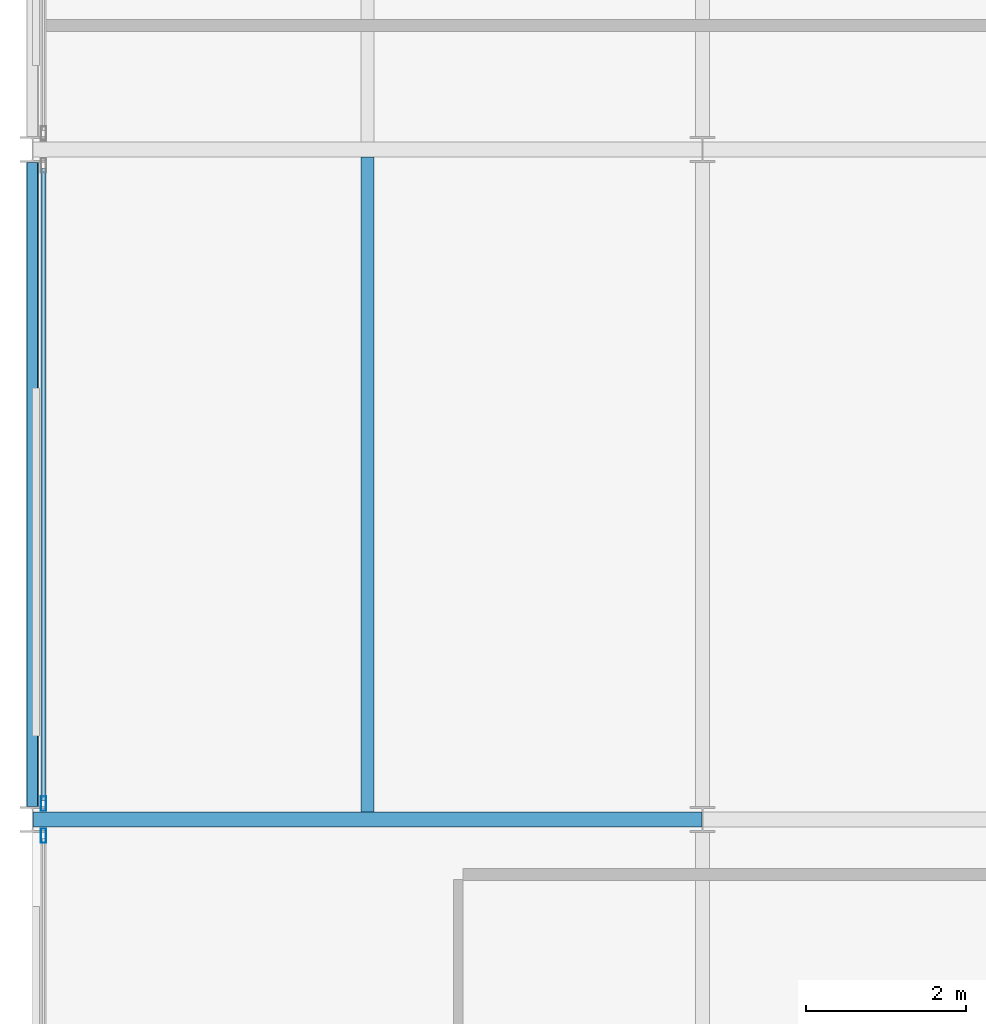
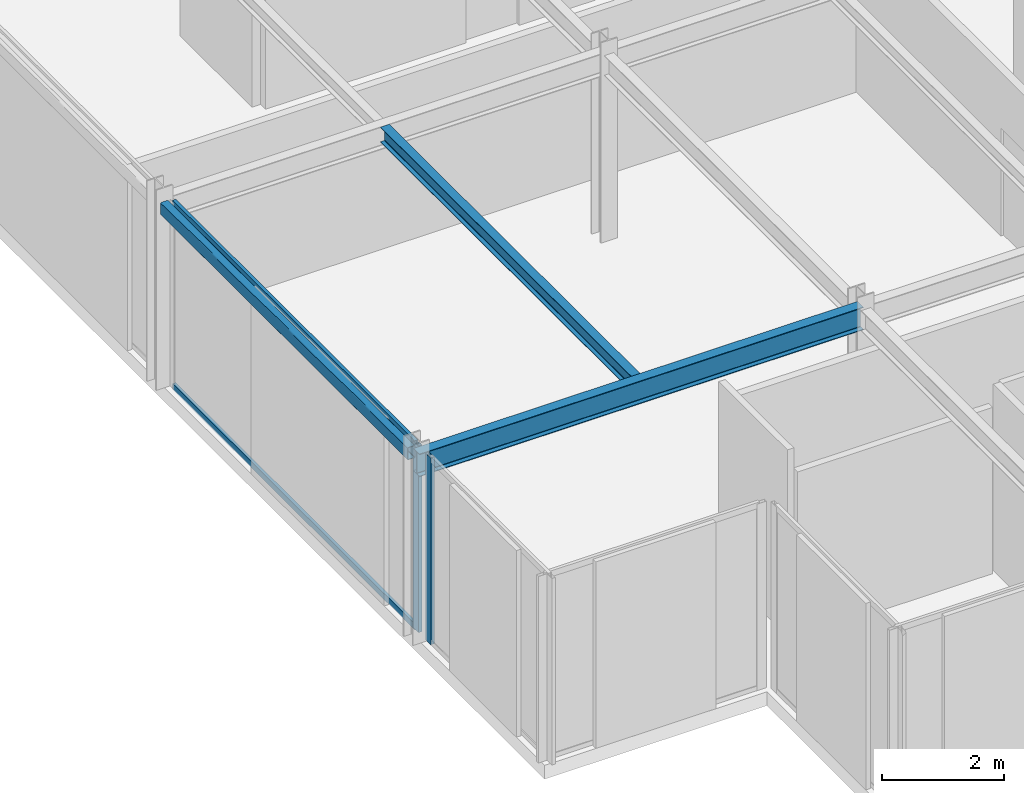
# One storey, part 5 of 26: 4 members, 3 beams, 2 elements without a shape of their own.
"""IFC4 building model written with IfcOpenShell, lengths in metres."""

from ifc_helpers import new_model, si_unit, direction, frame, origin, origin_2d, place, context, subcontext, project, spatial, hollow_rectangle, i_section, extrude, material, layer, layer_set, material_profile, profile_set, type_object, element, aggregate, save


model = new_model("IFC4")

# Units and contexts
model_context = context("Model", 3, precision=1e-05, world=origin(), true_north=direction((0.0, 1.0)))
body_context = subcontext(model_context, "Body", "Model", "MODEL_VIEW")
ifc_project = project(units=[si_unit("LENGTHUNIT", "METRE"), si_unit("AREAUNIT", "SQUARE_METRE"), si_unit("VOLUMEUNIT", "CUBIC_METRE"), si_unit("PLANEANGLEUNIT", "RADIAN"), si_unit("MASSUNIT", "GRAM", prefix="KILO")], contexts=[model_context])

# Site, building, storey
site_placement = place(None, origin())
site = spatial("IfcSite", under=ifc_project, at=site_placement, CompositionType="ELEMENT")
building_placement = place(site_placement, origin())
building = spatial("IfcBuilding", under=site, at=building_placement, Name="Nerrivon Quay Data Exchange", CompositionType="ELEMENT")
storey_placement = place(building_placement, frame((0.0, 0.0, 258.199951171875)))
storey = spatial("IfcBuildingStorey", under=building, at=storey_placement, Name="L61", CompositionType="ELEMENT", Elevation=258.199951171875)

# Beams
ifc_material_1 = material(Name="Steel Grade 350", Category="steel")
ifc_material_profile_1 = material_profile(ifc_material_1, i_section(OverallWidth=0.18994140625, OverallDepth=0.4541015625, WebThickness=0.008544921875, FlangeThickness=0.0126953125, FilletRadius=0.011474609375, at=origin_2d()), Name="460UB67.1")
ifc_profile_set_1 = profile_set([ifc_material_profile_1], Name="Steel Grade 350")
beam_type_1 = type_object("IfcBeamType", Name="BM-G6-460UB67", PredefinedType="BEAM", material=ifc_profile_set_1)
beam_1_placement = place(storey_placement, frame((0.0078125, 8.39990234375, 3.498046875), z_axis=(1.0, 0.0, 0.0), x_axis=(0.0, 1.0, 0.0)))
element("IfcBeam", 1, at=beam_1_placement, inside=storey, type_object=beam_type_1, Name="L61 EW Girder Y=8.4 (0.0..8.4)", PredefinedType="BEAM", context=body_context, shape_type="SweptSolid", body=[
    extrude(i_section(OverallWidth=0.18994140625, OverallDepth=0.4541015625, WebThickness=0.008544921875, FlangeThickness=0.0126953125, FilletRadius=0.011474609375, at=origin_2d()), origin(), (0.0, 0.0, 1.0), 8.38427734375),
])
ifc_material_profile_2 = material_profile(ifc_material_1, i_section(OverallWidth=0.1650390625, OverallDepth=0.303955078125, WebThickness=0.006103515625, FlangeThickness=0.01025390625, FilletRadius=0.011474609375, at=origin_2d()), Name="310UB40.4")
ifc_profile_set_2 = profile_set([ifc_material_profile_2], Name="Steel Grade 350")
beam_type_2 = type_object("IfcBeamType", Name="BM-J6-310UB40", PredefinedType="JOIST", material=ifc_profile_set_2)
beam_2_placement = place(storey_placement, frame((4.199951171875, 8.4951171875, 3.572998046875), z_axis=(0.0, 1.0, 0.0), x_axis=(-1.0, 0.0, 0.0)))
element("IfcBeam", 2, at=beam_2_placement, inside=storey, type_object=beam_type_2, Name="L61 Secondary Joist X=4.2 (8.4..16.8)", PredefinedType="JOIST", context=body_context, shape_type="SweptSolid", body=[
    extrude(i_section(OverallWidth=0.1650390625, OverallDepth=0.303955078125, WebThickness=0.006103515625, FlangeThickness=0.01025390625, FilletRadius=0.011474609375, at=origin_2d()), origin(), (0.0, 0.0, 1.0), 8.2099609375),
])
ifc_material_2 = material(Name="Steel Grade C350L0 (350 MPa)", Category="steel")
ifc_material_profile_3 = material_profile(ifc_material_2, hollow_rectangle(XDim=0.14990234375, YDim=0.25, WallThickness=0.009033203125, InnerFilletRadius=0.013427734375, OuterFilletRadius=0.0224609375, at=origin_2d()), Name="250x150x9.0RHS")
ifc_profile_set_3 = profile_set([ifc_material_profile_3], Name="Steel Grade C350L0 (350 MPa)")
beam_type_3 = type_object("IfcBeamType", Name="BM-SP4-250x150RHS", PredefinedType="SPANDREL", material=ifc_profile_set_3)
beam_3_placement = place(storey_placement, frame((0.0, 8.5634765625, 3.60009765625), z_axis=(0.0, 1.0, 0.0), x_axis=(-1.0, 0.0, 0.0)))
element("IfcBeam", 3, at=beam_3_placement, inside=storey, type_object=beam_type_3, Name="L61 NS Girder X=0.0 (8.4..16.8)", PredefinedType="SPANDREL", context=body_context, shape_type="SweptSolid", body=[
    extrude(hollow_rectangle(XDim=0.14990234375, YDim=0.25, WallThickness=0.009033203125, InnerFilletRadius=0.013427734375, OuterFilletRadius=0.0224609375, at=origin_2d()), origin(), (0.0, 0.0, 1.0), 8.072998046875),
])

# Curtain wall, member
ifc_material_3 = material(Name="Anodised aluminium 6063-T6", Category="aluminium")
ifc_layer = layer(ifc_material_3, 0.195068359375)
ifc_layer_set = layer_set([ifc_layer], Name="Anodised aluminium 6063-T6")
curtain_wall_type = type_object("IfcCurtainWallType", Name="CW-SYS-06", PredefinedType="NOTDEFINED", material=ifc_layer_set)
curtain_wall_1_placement = place(storey_placement, origin())
curtain_wall_1 = element("IfcCurtainWall", 4, at=curtain_wall_1_placement, inside=storey, type_object=curtain_wall_type, Name="L61 Unitised Curtain Wall 11", PredefinedType="NOTDEFINED")
ifc_material_profile_4 = material_profile(ifc_material_3, hollow_rectangle(XDim=0.06494140625, YDim=0.179931640625, WallThickness=0.00341796875, at=origin_2d()), Name="ALU-MULL-180x65")
ifc_profile_set_4 = profile_set([ifc_material_profile_4], Name="Anodised aluminium 6063-T6")
member_type_1 = type_object("IfcMemberType", Name="CWM-180x65", PredefinedType="MULLION", material=ifc_profile_set_4)
member_1_placement = place(storey_placement, frame((0.139892578125, 8.198974609375, 0.0), z_axis=(0.0, 0.0, 1.0), x_axis=(-1.0, 0.0, 0.0)))
member_1 = element("IfcMember", 5, at=member_1_placement, type_object=member_type_1, Name="CW06 mullion 2", PredefinedType="MULLION", context=body_context, shape_type="SweptSolid", body=[
    extrude(hollow_rectangle(XDim=0.06494140625, YDim=0.179931640625, WallThickness=0.00341796875, at=origin_2d()), origin(), (0.0, 0.0, 1.0), 3.72509765625),
])
aggregate(curtain_wall_1, [member_1])

# Curtain wall, members
curtain_wall_2_placement = place(storey_placement, origin())
curtain_wall_2 = element("IfcCurtainWall", 6, at=curtain_wall_2_placement, inside=storey, type_object=curtain_wall_type, Name="L61 Unitised Curtain Wall 12", PredefinedType="NOTDEFINED")
member_2_placement = place(storey_placement, frame((0.139892578125, 8.60107421875, 0.0), z_axis=(0.0, 0.0, 1.0), x_axis=(-1.0, 0.0, 0.0)))
member_2 = element("IfcMember", 7, at=member_2_placement, type_object=member_type_1, Name="CW06 mullion 1", PredefinedType="MULLION", context=body_context, shape_type="SweptSolid", body=[
    extrude(hollow_rectangle(XDim=0.06494140625, YDim=0.179931640625, WallThickness=0.00341796875, at=origin_2d()), origin(), (0.0, 0.0, 1.0), 3.72509765625),
])
ifc_material_profile_5 = material_profile(ifc_material_3, hollow_rectangle(XDim=0.06005859375, YDim=0.1201171875, WallThickness=0.003173828125, at=origin_2d()), Name="ALU-TRAN-120x60")
ifc_profile_set_5 = profile_set([ifc_material_profile_5], Name="Anodised aluminium 6063-T6")
member_type_2 = type_object("IfcMemberType", Name="CWT-120x60", PredefinedType="USERDEFINED", material=ifc_profile_set_5)
member_3_placement = place(storey_placement, frame((0.139892578125, 8.638427734375, 0.032470703125), z_axis=(0.0, 1.0, 0.0), x_axis=(-1.0, 0.0, 0.0)))
member_3 = element("IfcMember", 8, at=member_3_placement, type_object=member_type_2, Name="CW06 transom 1.1", ObjectType="TRANSOM", PredefinedType="USERDEFINED", context=body_context, shape_type="SweptSolid", body=[
    extrude(hollow_rectangle(XDim=0.06005859375, YDim=0.1201171875, WallThickness=0.003173828125, at=origin_2d()), origin(), (0.0, 0.0, 1.0), 7.923095703125),
])
member_4_placement = place(storey_placement, frame((0.139892578125, 8.638427734375, 3.692626953125), z_axis=(0.0, 1.0, 0.0), x_axis=(-1.0, 0.0, 0.0)))
member_4 = element("IfcMember", 9, at=member_4_placement, type_object=member_type_2, Name="CW06 transom 1.2", ObjectType="TRANSOM", PredefinedType="USERDEFINED", context=body_context, shape_type="SweptSolid", body=[
    extrude(hollow_rectangle(XDim=0.06005859375, YDim=0.1201171875, WallThickness=0.003173828125, at=origin_2d()), origin(), (0.0, 0.0, 1.0), 7.923095703125),
])
aggregate(curtain_wall_2, [member_2, member_3, member_4])

save(model, "model.ifc")
